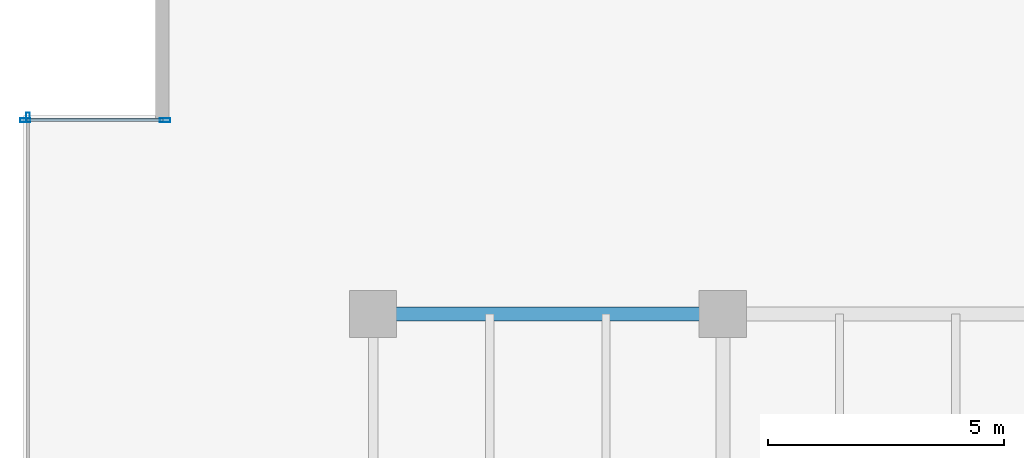
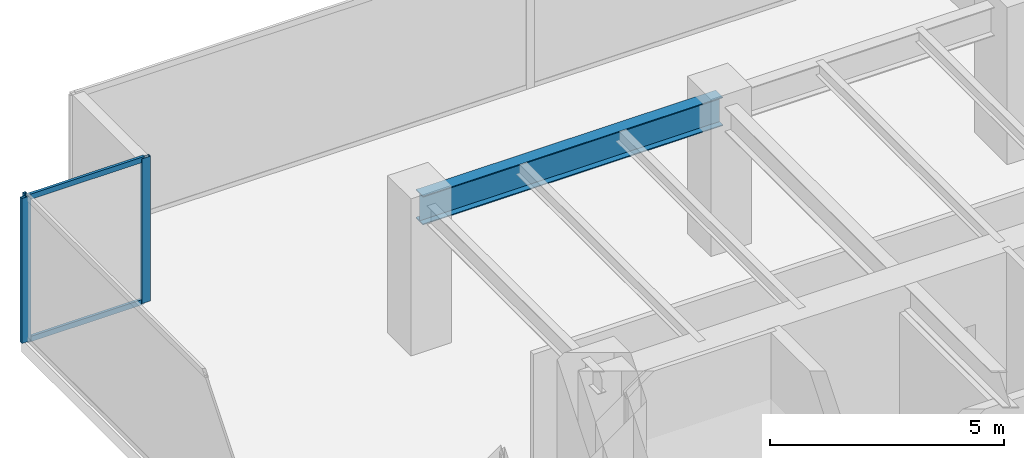
# One storey, part 12 of 35: 5 members, 1 beam, 2 elements without a shape of their own.
"""IFC4 building model written with IfcOpenShell, lengths in metres."""

from ifc_helpers import new_model, si_unit, direction, frame, origin, origin_2d, place, context, subcontext, project, spatial, hollow_rectangle, i_section, extrude, source, transform, mapped, material, layer, layer_set, material_profile, profile_set, type_object, type_shapes, element, aggregate, save


model = new_model("IFC4")

# Units and contexts
model_context = context("Model", 3, precision=1e-05, world=origin(), true_north=direction((0.0, 1.0)))
body_context = subcontext(model_context, "Body", "Model", "MODEL_VIEW")
ifc_project = project(units=[si_unit("LENGTHUNIT", "METRE"), si_unit("AREAUNIT", "SQUARE_METRE"), si_unit("VOLUMEUNIT", "CUBIC_METRE"), si_unit("PLANEANGLEUNIT", "RADIAN"), si_unit("MASSUNIT", "GRAM", prefix="KILO")], contexts=[model_context])

# Site, building, storey
site_placement = place(None, origin())
site = spatial("IfcSite", under=ifc_project, at=site_placement, CompositionType="ELEMENT")
building_placement = place(site_placement, origin())
building = spatial("IfcBuilding", under=site, at=building_placement, Name="Haelvirn Gate Laboratories", CompositionType="ELEMENT")
storey_placement = place(building_placement, frame((0.0, 0.0, 86.699951171875)))
storey = spatial("IfcBuildingStorey", under=building, at=storey_placement, Name="L21", CompositionType="ELEMENT", Elevation=86.699951171875)

# Beam
ifc_material_1 = material(Name="Steel SM355", Category="steel")
ifc_material_profile_1 = material_profile(ifc_material_1, i_section(OverallWidth=0.300048828125, OverallDepth=0.75, WebThickness=0.013916015625, FlangeThickness=0.02392578125, at=origin_2d()), Name="H-750x300x14x24")
ifc_profile_set_1 = profile_set([ifc_material_profile_1], Name="Steel SM355")
beam_type = type_object("IfcBeamType", Name="BM-G-750", PredefinedType="BEAM", material=ifc_profile_set_1)
shared_shape_1 = source(origin(), body_context, "Body", "SweptSolid", [
    extrude(i_section(OverallWidth=0.300048828125, OverallDepth=0.75, WebThickness=0.013916015625, FlangeThickness=0.02392578125, at=origin_2d()), origin(), (0.0, 0.0, 1.0), 7.400146484375),
])
type_shapes(beam_type, [shared_shape_1])
beam_placement = place(storey_placement, frame((7.39990234375, 41.60009765625, 3.405029296875), z_axis=(1.0, 0.0, 0.0), x_axis=(0.0, 1.0, 0.0)))
element("IfcBeam", 1, at=beam_placement, inside=storey, type_object=beam_type, Name="L21 Primary Girder Y41.6 (7.4-14.8)", PredefinedType="BEAM", context=body_context, shape_type="MappedRepresentation", body=[
    mapped(shared_shape_1, transform((0.0, 0.0, 0.0), scale=1.0)),
])

# Curtain wall, member
ifc_material_2 = material(Name="Anodised bronze unitised aluminium & triple low-E glass", Category="aluminium")
ifc_layer_1 = layer(ifc_material_2, 0.18408203125, Name="CW-SYS-2")
ifc_layer_set_1 = layer_set([ifc_layer_1], Name="Anodised bronze unitised aluminium & triple low-E glass")
curtain_wall_type_1 = type_object("IfcCurtainWallType", Name="CW-SYS-2", PredefinedType="NOTDEFINED", material=ifc_layer_set_1)
curtain_wall_1_placement = place(storey_placement, origin())
curtain_wall_1 = element("IfcCurtainWall", 2, at=curtain_wall_1_placement, inside=storey, type_object=curtain_wall_type_1, Name="L21 Unitised Curtain Wall CW-L21-P0-E17", PredefinedType="NOTDEFINED")
ifc_material_3 = material(Name="Extruded aluminium 6063-T6 (anodised bronze)", Category="aluminium")
ifc_material_profile_2 = material_profile(ifc_material_3, hollow_rectangle(XDim=0.074951171875, YDim=0.199951171875, WallThickness=0.0048828125, at=origin_2d()), Name="CWM-200x75x5")
ifc_profile_set_2 = profile_set([ifc_material_profile_2], Name="Extruded aluminium 6063-T6 (anodised bronze)")
member_type_1 = type_object("IfcMemberType", Name="CWM-T200", PredefinedType="MULLION", material=ifc_profile_set_2)
shared_shape_2 = source(origin(), body_context, "Body", "SweptSolid", [
    extrude(hollow_rectangle(XDim=0.074951171875, YDim=0.199951171875, WallThickness=0.0048828125, at=origin_2d()), origin(), (0.0, 0.0, 1.0), 3.780029296875),
])
type_shapes(member_type_1, [shared_shape_2])
member_1_placement = place(storey_placement, frame((0.10009765625, 45.762451171875, 0.0), z_axis=(0.0, 0.0, 1.0), x_axis=(1.0, 0.0, 0.0)))
member_1 = element("IfcMember", 3, at=member_1_placement, type_object=member_type_1, Name="CW2 mullion 1", PredefinedType="MULLION", context=body_context, shape_type="MappedRepresentation", body=[
    mapped(shared_shape_2, transform((0.0, 0.0, 0.0), scale=1.0)),
])
aggregate(curtain_wall_1, [member_1])

# Curtain wall, members
ifc_layer_2 = layer(ifc_material_2, 0.181884765625, Name="CW-SYS-5")
ifc_layer_set_2 = layer_set([ifc_layer_2], Name="Anodised bronze unitised aluminium & triple low-E glass")
curtain_wall_type_2 = type_object("IfcCurtainWallType", Name="CW-SYS-5", PredefinedType="NOTDEFINED", material=ifc_layer_set_2)
curtain_wall_2_placement = place(storey_placement, origin())
curtain_wall_2 = element("IfcCurtainWall", 4, at=curtain_wall_2_placement, inside=storey, type_object=curtain_wall_type_2, Name="L21 Unitised Curtain Wall CW-L21-P0-E16-1", PredefinedType="NOTDEFINED")
ifc_material_profile_3 = material_profile(ifc_material_3, hollow_rectangle(XDim=0.080078125, YDim=0.219970703125, WallThickness=0.006103515625, at=origin_2d()), Name="CWM-220x80x6")
ifc_profile_set_3 = profile_set([ifc_material_profile_3], Name="Extruded aluminium 6063-T6 (anodised bronze)")
member_type_2 = type_object("IfcMemberType", Name="CWM-T220", PredefinedType="MULLION", material=ifc_profile_set_3)
shared_shape_3 = source(origin(), body_context, "Body", "SweptSolid", [
    extrude(hollow_rectangle(XDim=0.080078125, YDim=0.219970703125, WallThickness=0.006103515625, at=origin_2d()), origin(), (0.0, 0.0, 1.0), 3.780029296875),
])
type_shapes(member_type_2, [shared_shape_3])
member_2_placement = place(storey_placement, frame((0.0400390625, 45.699951171875, 0.0), z_axis=(0.0, 0.0, 1.0), x_axis=(0.0, 1.0, 0.0)))
member_2 = element("IfcMember", 5, at=member_2_placement, type_object=member_type_2, Name="CW5 mullion 1", PredefinedType="MULLION", context=body_context, shape_type="MappedRepresentation", body=[
    mapped(shared_shape_3, transform((0.0, 0.0, 0.0), scale=1.0)),
])
member_3_placement = place(storey_placement, frame((3.0, 45.699951171875, 0.0), z_axis=(0.0, 0.0, 1.0), x_axis=(0.0, 1.0, 0.0)))
member_3 = element("IfcMember", 6, at=member_3_placement, type_object=member_type_2, Name="CW5 mullion 2", PredefinedType="MULLION", context=body_context, shape_type="MappedRepresentation", body=[
    mapped(shared_shape_3, transform((0.0, 0.0, 0.0), scale=1.0)),
])
ifc_material_profile_4 = material_profile(ifc_material_3, hollow_rectangle(XDim=0.06494140625, YDim=0.139892578125, WallThickness=0.00390625, at=origin_2d()), Name="CWT-140x65x4")
ifc_profile_set_4 = profile_set([ifc_material_profile_4], Name="Extruded aluminium 6063-T6 (anodised bronze)")
member_type_3 = type_object("IfcMemberType", Name="CWT-T140", PredefinedType="USERDEFINED", material=ifc_profile_set_4)
shared_shape_4 = source(origin(), body_context, "Body", "SweptSolid", [
    extrude(hollow_rectangle(XDim=0.06494140625, YDim=0.139892578125, WallThickness=0.00390625, at=origin_2d()), origin(), (0.0, 0.0, 1.0), 2.8798828125),
])
type_shapes(member_type_3, [shared_shape_4])
member_4_placement = place(storey_placement, frame((0.080078125, 45.699951171875, 0.032470703125), z_axis=(1.0, 0.0, 0.0), x_axis=(0.0, 1.0, 0.0)))
member_4 = element("IfcMember", 7, at=member_4_placement, type_object=member_type_3, Name="CW5 transom 1.1", ObjectType="TRANSOM", PredefinedType="USERDEFINED", context=body_context, shape_type="MappedRepresentation", body=[
    mapped(shared_shape_4, transform((0.0, 0.0, 0.0), scale=1.0)),
])
member_5_placement = place(storey_placement, frame((0.080078125, 45.699951171875, 3.74755859375), z_axis=(1.0, 0.0, 0.0), x_axis=(0.0, 1.0, 0.0)))
member_5 = element("IfcMember", 8, at=member_5_placement, type_object=member_type_3, Name="CW5 transom 1.2", ObjectType="TRANSOM", PredefinedType="USERDEFINED", context=body_context, shape_type="MappedRepresentation", body=[
    mapped(shared_shape_4, transform((0.0, 0.0, 0.0), scale=1.0)),
])
aggregate(curtain_wall_2, [member_2, member_3, member_4, member_5])

save(model, "model.ifc")
